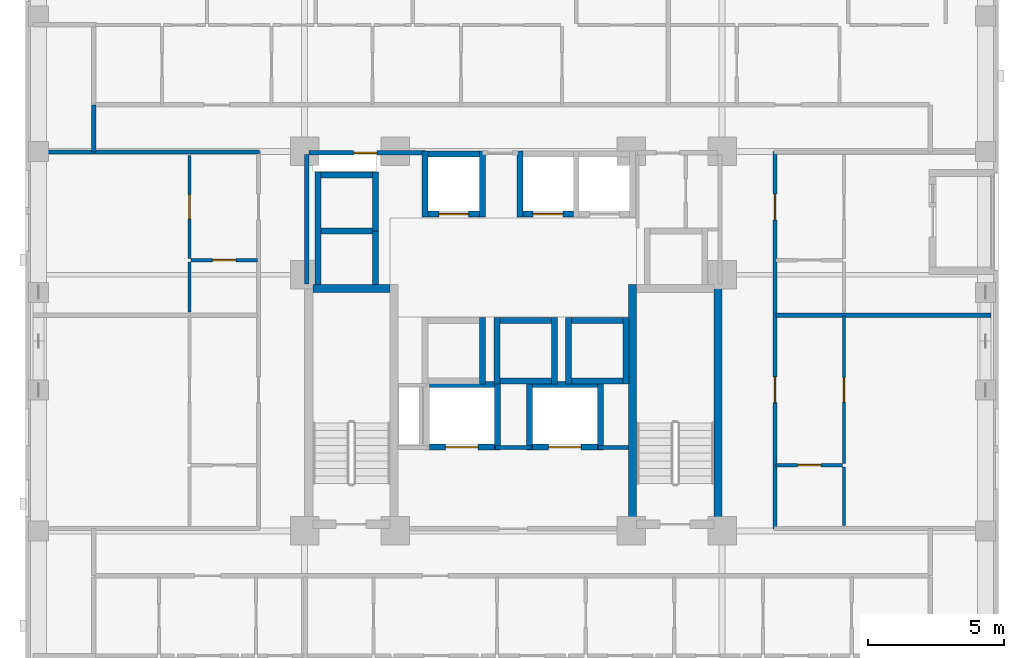
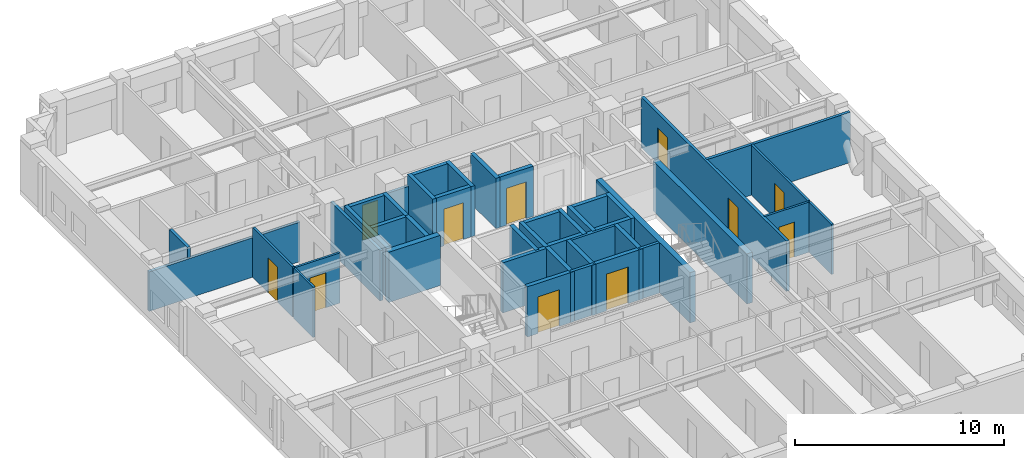
# One storey, part 5 of 12: 44 walls, 11 doors, 11 openings.
"""IFC4 building model written with IfcOpenShell, lengths in metres."""

import ifcopenshell
import ifcopenshell.guid

model = None  # the IFC model being written
_history = None  # IfcOwnerHistory: only IFC2X3 demands one
_inside = {}  # id of a spatial element -> (the spatial element, [elements in it])
_under = {}  # id of a project, library or spatial element -> (it, [spatial elements below it])
_declared = {}  # id of a project -> (the project, [libraries it declares])
_typed = {}  # id of a type object -> (the type object, [elements of that type])
_made_of = {}  # id of a material, layer set ... -> (it, [elements and type objects made of it])


def new_model(schema):
    """Start an empty IFC model of exactly this schema.

    Asked for "IFC4X3", IfcOpenShell would pick the latest addendum, in which some entities
    have other attributes; the version numbers below select the first issue.
    IFC2X3 requires an IfcOwnerHistory on every rooted entity: one is made here for all.
    """
    global model, _history
    if schema == "IFC4X3":
        model = ifcopenshell.file(schema_version=(4, 3, 0, 0))
    else:
        model = ifcopenshell.file(schema=schema)
    _inside.clear()
    _under.clear()
    _declared.clear()
    _typed.clear()
    _made_of.clear()
    _history = None
    if model.schema == "IFC2X3":
        org = make("IfcOrganization", Name="unknown")
        user = make(
            "IfcPersonAndOrganization",
            ThePerson=make("IfcPerson", FamilyName="unknown"),
            TheOrganization=org,
        )
        app = make(
            "IfcApplication",
            ApplicationDeveloper=org,
            Version="unknown",
            ApplicationFullName="unknown",
            ApplicationIdentifier="unknown",
        )
        _history = make(
            "IfcOwnerHistory",
            OwningUser=user,
            OwningApplication=app,
            ChangeAction="ADDED",
            CreationDate=0,
        )
    return model


def make(cls, **values):
    """One entity of the class cls with the attributes given. An attribute that is None is left unset."""
    return model.create_entity(
        cls, **{name: value for name, value in values.items() if value is not None}
    )


def rooted(cls, **values):
    """An entity with a GlobalId (a new one), such as an element, a storey or a relation."""
    return make(cls, GlobalId=ifcopenshell.guid.new(), OwnerHistory=_history, **values)


def si_unit(unit_type, name, prefix=None):
    """IfcSIUnit, for example si_unit("LENGTHUNIT", "METRE", prefix="MILLI")."""
    return make("IfcSIUnit", UnitType=unit_type, Prefix=prefix, Name=name)


def derived_unit(unit_type, elements):
    """IfcDerivedUnit: a product of units, each with its exponent."""
    return make(
        "IfcDerivedUnit",
        Elements=[
            make("IfcDerivedUnitElement", Unit=unit, Exponent=power)
            for unit, power in elements
        ],
        UnitType=unit_type,
    )


def assignment(units):
    """IfcUnitAssignment: the units of a project."""
    return None if units is None else make("IfcUnitAssignment", Units=units)


def point(xyz):
    """IfcCartesianPoint."""
    return None if xyz is None else make("IfcCartesianPoint", Coordinates=xyz)


def direction(xyz):
    """IfcDirection."""
    return None if xyz is None else make("IfcDirection", DirectionRatios=xyz)


def frame(location, z_axis=None, x_axis=None):
    """IfcAxis2Placement3D, a coordinate frame: its origin and axes. An axis left out is left unset."""
    return make(
        "IfcAxis2Placement3D",
        Location=point(location),
        Axis=direction(z_axis),
        RefDirection=direction(x_axis),
    )


def frame_2d(location, x_axis=None):
    """IfcAxis2Placement2D, a coordinate frame in the plane: its origin and x axis."""
    return make(
        "IfcAxis2Placement2D", Location=point(location), RefDirection=direction(x_axis)
    )


def origin():
    """The frame at (0, 0, 0) with its axes left unset."""
    return frame((0.0, 0.0, 0.0))


def place(relative_to, where):
    """IfcLocalPlacement: puts the frame where relative to a parent placement (None: the world)."""
    return make(
        "IfcLocalPlacement", PlacementRelTo=relative_to, RelativePlacement=where
    )


def context(
    kind, dimensions, precision=None, world=None, true_north=None, identifier=None
):
    """IfcGeometricRepresentationContext, for example the 3D "Model" context."""
    return make(
        "IfcGeometricRepresentationContext",
        ContextIdentifier=identifier,
        ContextType=kind,
        CoordinateSpaceDimension=dimensions,
        Precision=precision,
        WorldCoordinateSystem=world,
        TrueNorth=true_north,
    )


def subcontext(parent, identifier, kind, view, scale=None):
    """IfcGeometricRepresentationSubContext, for example "Body" below "Model"."""
    return make(
        "IfcGeometricRepresentationSubContext",
        ContextIdentifier=identifier,
        ContextType=kind,
        ParentContext=parent,
        TargetScale=scale,
        TargetView=view,
    )


def project(units=None, contexts=None):
    """IfcProject with its units and contexts."""
    return rooted(
        "IfcProject",
        Name="project",
        RepresentationContexts=contexts,
        UnitsInContext=assignment(units),
    )


def spatial(cls, under=None, at=None, **own):
    """A site, building, storey or space (cls), placed at a placement, below another one or the project."""
    s = rooted(cls, ObjectPlacement=at, **own)
    if under is not None:
        _under.setdefault(under.id(), (under, []))[1].append(s)
    return s


def profile(cls, at=None, kind="AREA", **sizes):
    """A parametric profile (cls). Its sizes go by their IFC names, for example OverallWidth=200.0."""
    return make(cls, ProfileType=kind, Position=at, **sizes)


def rectangle(**sizes):
    """IfcRectangleProfileDef."""
    return profile("IfcRectangleProfileDef", **sizes)


def extrude(swept, where, along, depth):
    """IfcExtrudedAreaSolid: the profile swept, set in the frame where, extruded along a direction by depth."""
    return make(
        "IfcExtrudedAreaSolid",
        SweptArea=swept,
        Position=where,
        ExtrudedDirection=direction(along),
        Depth=depth,
    )


def shape(context_of_items, identifier, shape_type, items):
    """IfcShapeRepresentation: the items that make up one representation, for example the "Body"."""
    return make(
        "IfcShapeRepresentation",
        ContextOfItems=context_of_items,
        RepresentationIdentifier=identifier,
        RepresentationType=shape_type,
        Items=items,
    )


def material(Name=None, Category=None):
    """IfcMaterial."""
    return make("IfcMaterial", Name=Name, Category=Category)


def layer(
    of_material, thickness, ventilated=None, Name=None, Category=None, Priority=None
):
    """IfcMaterialLayer: one layer of a wall or slab, of a material (None: an air gap)."""
    return make(
        "IfcMaterialLayer",
        Material=of_material,
        LayerThickness=thickness,
        IsVentilated=ventilated,
        Name=Name,
        Category=Category,
        Priority=Priority,
    )


def layer_set(layers, Name=None):
    """IfcMaterialLayerSet."""
    return make("IfcMaterialLayerSet", MaterialLayers=layers, LayerSetName=Name)


def made_of(thing, what):
    """Note that an element or type object is made of a material, layer set ...; save() writes the relation."""
    if what is not None:
        _made_of.setdefault(what.id(), (what, []))[1].append(thing)
    return thing


def type_object(cls, material=None, **own):
    """A type object (cls), such as IfcWallType, which elements share."""
    return made_of(rooted(cls, **own), material)


def element(
    cls,
    number,
    at=None,
    inside=None,
    cuts=None,
    type_object=None,
    material=None,
    context=None,
    identifier="Body",
    shape_type=None,
    held_by="IfcProductDefinitionShape",
    body=None,
    shapes=None,
    **own,
):
    """One element of the class cls, such as IfcWall. Its Tag is "e" and its number.

    at: its placement. inside: the storey or other place that contains it. cuts: it is an
    opening in that element (IfcRelVoidsElement). A single representation is given by context,
    identifier, shape_type and body (its items); several are given by shapes. held_by: the class
    of the entity that holds the representations. save() writes the other relations.
    """
    e = rooted(cls, Tag="e%d" % number, ObjectPlacement=at, **own)
    if body is not None:
        shapes = [shape(context, identifier, shape_type, body)]
    if shapes is not None:
        e.Representation = make(held_by, Representations=shapes)
    if inside is not None:
        _inside.setdefault(inside.id(), (inside, []))[1].append(e)
    if cuts is not None:
        rooted(
            "IfcRelVoidsElement", RelatingBuildingElement=cuts, RelatedOpeningElement=e
        )
    if type_object is not None:
        _typed.setdefault(type_object.id(), (type_object, []))[1].append(e)
    return made_of(e, material)


def fill(opening, filler):
    """IfcRelFillsElement: the door or window that sits in an opening."""
    return rooted(
        "IfcRelFillsElement",
        RelatingOpeningElement=opening,
        RelatedBuildingElement=filler,
    )


def aggregate(whole, parts):
    """IfcRelAggregates: a whole, such as a stair, and the parts it consists of."""
    return rooted("IfcRelAggregates", RelatingObject=whole, RelatedObjects=parts)


def save(model, path):
    """Write the relations noted so far, then the file.

    IfcRelAggregates (storeys below a building ...), IfcRelContainedInSpatialStructure (elements
    in a storey), IfcRelDefinesByType, IfcRelAssociatesMaterial and IfcRelDeclares: one each for
    every whole, place, type object, material and project.
    """
    for whole, parts in _under.values():
        aggregate(whole, parts)
    for where, things in _inside.values():
        rooted(
            "IfcRelContainedInSpatialStructure",
            RelatedElements=things,
            RelatingStructure=where,
        )
    for kind, things in _typed.values():
        rooted("IfcRelDefinesByType", RelatedObjects=things, RelatingType=kind)
    for what, things in _made_of.values():
        rooted("IfcRelAssociatesMaterial", RelatedObjects=things, RelatingMaterial=what)
    for by, libraries in _declared.values():
        rooted("IfcRelDeclares", RelatingContext=by, RelatedDefinitions=libraries)
    model.write(path)


model = new_model("IFC4")

# Units and contexts
model_context = context("Model", 3, precision=1e-05, world=origin(), true_north=direction((0.0, 1.0)))
body_context = subcontext(model_context, "Body", "Model", "MODEL_VIEW")
ifc_project = project(units=[si_unit("LENGTHUNIT", "METRE"), si_unit("AREAUNIT", "SQUARE_METRE"), si_unit("VOLUMEUNIT", "CUBIC_METRE"), si_unit("PLANEANGLEUNIT", "RADIAN"), si_unit("MASSUNIT", "GRAM", prefix="KILO"), derived_unit("THERMALTRANSMITTANCEUNIT", [(si_unit("MASSUNIT", "GRAM", prefix="KILO"), 1), (si_unit("TIMEUNIT", "SECOND"), -3), (si_unit("THERMODYNAMICTEMPERATUREUNIT", "KELVIN"), -1)])], contexts=[model_context])

# Site, building, storey
site_placement = place(None, origin())
site = spatial("IfcSite", under=ifc_project, at=site_placement, CompositionType="ELEMENT")
building_placement = place(site_placement, origin())
building = spatial("IfcBuilding", under=site, at=building_placement, Name="Korrvale Station Residences", CompositionType="ELEMENT")
storey_placement = place(building_placement, frame((0.0, 0.0, 110.300048828125)))
storey = spatial("IfcBuildingStorey", under=building, at=storey_placement, Name="L31", CompositionType="ELEMENT", Elevation=110.300048828125)

# Walls
ifc_material_1 = material(Name="Concrete C60/75", Category="concrete")
ifc_layer_1 = layer(ifc_material_1, 0.300048828125, Name="Concrete C60/75")
ifc_layer_set_1 = layer_set([ifc_layer_1], Name="Concrete C60/75")
wall_type_1 = type_object("IfcWallType", Name="WAL-CORE-300-C60", PredefinedType="SHEAR", material=ifc_layer_set_1)
wall_1_placement = place(storey_placement, frame((18.10009765625, 23.949951171875, 0.0), z_axis=(0.0, 0.0, 1.0), x_axis=(1.0, 0.0, 0.0)))
element("IfcWall", 1, at=wall_1_placement, inside=storey, type_object=wall_type_1, Name="L31 ST-1 Core Shear Wall North", PredefinedType="SHEAR", context=body_context, shape_type="SweptSolid", body=[
    extrude(rectangle(XDim=2.849853515625, YDim=0.300048828125, at=frame_2d((1.4248046875, 0.0))), origin(), (0.0, 0.0, 1.0), 2.93994140625),
])
for number, where, z_axis, x_axis, name in (
    (2, (29.89990234375, 15.10009765625, 0.0), (0.0, 0.0, 1.0), (0.0, 1.0, 0.0), "L31 ST-2 Core Shear Wall West"),
    (3, (33.050048828125, 15.10009765625, 0.0), (0.0, 0.0, 1.0), (0.0, 1.0, 0.0), "L31 ST-2 Core Shear Wall East"),
):
    element("IfcWall", number, at=place(storey_placement, frame(where, z_axis=z_axis, x_axis=x_axis)), inside=storey, type_object=wall_type_1, Name=name, PredefinedType="SHEAR", context=body_context, shape_type="SweptSolid", body=[
        extrude(rectangle(XDim=9.0, YDim=0.300048828125, at=frame_2d((4.5, 0.0))), origin(), (0.0, 0.0, 1.0), 2.93994140625),
    ])

# Wall, opening, door
ifc_material_2 = material(Name="Acoustic steel-stud gypsum board partition", Category="steel")
ifc_layer_2 = layer(ifc_material_2, 0.1201171875, Name="Acoustic steel-stud gypsum board partition")
ifc_layer_set_2 = layer_set([ifc_layer_2], Name="Acoustic steel-stud gypsum board partition")
wall_type_2 = type_object("IfcWallType", Name="WAL-PART-125", PredefinedType="PARTITIONING", material=ifc_layer_set_2)
wall_2_placement = place(storey_placement, frame((13.610107421875, 24.991943359375, 0.0), z_axis=(0.0, 0.0, 1.0), x_axis=(1.0, 0.0, 0.0)))
wall_2 = element("IfcWall", 4, at=wall_2_placement, inside=storey, type_object=wall_type_2, Name="L31 Suite Partition U06-H01", PredefinedType="PARTITIONING", context=body_context, shape_type="SweptSolid", body=[
    extrude(rectangle(XDim=2.449951171875, YDim=0.1201171875, at=frame_2d((1.22509765625, 0.0))), origin(), (0.0, 0.0, 1.0), 2.93994140625),
])
opening_1_placement = place(wall_2_placement, frame((0.794921875, 0.0, 0.0)))
opening_1 = element("IfcOpeningElement", 5, at=opening_1_placement, cuts=wall_2, Name="Opening DB-860", PredefinedType="OPENING", context=body_context, shape_type="SweptSolid", body=[
    extrude(rectangle(XDim=0.860107421875, YDim=2.050048828125, at=frame_2d((0.43017578125, 1.02490234375))), frame((0.0, 0.070068359375, 0.0), z_axis=(0.0, -1.0, 0.0), x_axis=(1.0, 0.0, 0.0)), (0.0, 0.0, 1.0), 0.14013671875),
])
ifc_material_3 = material(Name="Moisture-resistant solid-core bathroom door", Category="timber")
door_type_1 = type_object("IfcDoorType", Name="DR-BATH-860", OperationType="NOTDEFINED", PredefinedType="DOOR", material=ifc_material_3)
door_1_placement = place(opening_1_placement, origin())
door_1 = element("IfcDoor", 6, at=door_1_placement, inside=storey, type_object=door_type_1, Name="L31 Studio Apartment L31-U06 Bathroom Door", OperationType="SINGLE_SWING_LEFT", OverallHeight=2.050048828125, OverallWidth=0.860107421875, PredefinedType="DOOR", context=body_context, shape_type="SweptSolid", body=[
    extrude(rectangle(XDim=0.860107421875, YDim=2.050048828125, at=frame_2d((0.43017578125, 1.02490234375))), frame((0.0, 0.02490234375, 0.0), z_axis=(0.0, -1.0, 0.0), x_axis=(1.0, 0.0, 0.0)), (0.0, 0.0, 1.0), 0.050048828125),
])
fill(opening_1, door_1)

# Wall
wall_3_placement = place(storey_placement, frame((13.550048828125, 23.08203125, 0.0), z_axis=(0.0, 0.0, 1.0), x_axis=(0.0, 1.0, 0.0)))
element("IfcWall", 7, at=wall_3_placement, inside=storey, type_object=wall_type_2, Name="L31 Suite Partition U06-V02", PredefinedType="PARTITIONING", context=body_context, shape_type="SweptSolid", body=[
    extrude(rectangle(XDim=1.849853515625, YDim=0.1201171875, at=frame_2d((0.9248046875, 0.0))), origin(), (0.0, 0.0, 1.0), 2.93994140625),
])

# Wall, opening, door
wall_4_placement = place(storey_placement, frame((13.550048828125, 25.052001953125, 0.0), z_axis=(0.0, 0.0, 1.0), x_axis=(0.0, 1.0, 0.0)))
wall_4 = element("IfcWall", 8, at=wall_4_placement, inside=storey, type_object=wall_type_2, Name="L31 Suite Partition U06-V12", PredefinedType="PARTITIONING", context=body_context, shape_type="SweptSolid", body=[
    extrude(rectangle(XDim=3.80810546875, YDim=0.1201171875, at=frame_2d((1.904052734375, 0.0))), origin(), (0.0, 0.0, 1.0), 2.93994140625),
])
opening_2_placement = place(wall_4_placement, frame((1.4541015625, 0.0, 0.0)))
opening_2 = element("IfcOpeningElement", 9, at=opening_2_placement, cuts=wall_4, Name="Opening DI-900", PredefinedType="OPENING", context=body_context, shape_type="SweptSolid", body=[
    extrude(rectangle(XDim=0.89990234375, YDim=2.050048828125, at=frame_2d((0.449951171875, 1.02490234375))), frame((0.0, 0.070068359375, 0.0), z_axis=(0.0, -1.0, 0.0), x_axis=(1.0, 0.0, 0.0)), (0.0, 0.0, 1.0), 0.14013671875),
])
ifc_material_4 = material(Name="Painted solid-core timber interior room door", Category="wood")
door_type_2 = type_object("IfcDoorType", Name="DR-INT-900", OperationType="NOTDEFINED", PredefinedType="DOOR", material=ifc_material_4)
door_2_placement = place(opening_2_placement, origin())
door_2 = element("IfcDoor", 10, at=door_2_placement, inside=storey, type_object=door_type_2, Name="L31 Studio Apartment L31-U06 Kitchen Door", OperationType="SINGLE_SWING_RIGHT", OverallHeight=2.050048828125, OverallWidth=0.89990234375, PredefinedType="DOOR", context=body_context, shape_type="SweptSolid", body=[
    extrude(rectangle(XDim=0.89990234375, YDim=2.050048828125, at=frame_2d((0.449951171875, 1.02490234375))), frame((0.0, 0.02490234375, 0.0), z_axis=(0.0, -1.0, 0.0), x_axis=(1.0, 0.0, 0.0)), (0.0, 0.0, 1.0), 0.050048828125),
])
fill(opening_2, door_2)

wall_5_placement = place(storey_placement, frame((35.18994140625, 17.428955078125, 0.0), z_axis=(0.0, 0.0, 1.0), x_axis=(1.0, 0.0, 0.0)))
wall_5 = element("IfcWall", 11, at=wall_5_placement, inside=storey, type_object=wall_type_2, Name="L31 Suite Partition U07-H01", PredefinedType="PARTITIONING", context=body_context, shape_type="SweptSolid", body=[
    extrude(rectangle(XDim=2.449951171875, YDim=0.1201171875, at=frame_2d((1.22509765625, 0.0))), origin(), (0.0, 0.0, 1.0), 2.93994140625),
])
opening_3_placement = place(wall_5_placement, frame((0.794921875, 0.0, 0.0)))
opening_3 = element("IfcOpeningElement", 12, at=opening_3_placement, cuts=wall_5, Name="Opening DB-860", PredefinedType="OPENING", context=body_context, shape_type="SweptSolid", body=[
    extrude(rectangle(XDim=0.860107421875, YDim=2.050048828125, at=frame_2d((0.43017578125, 1.02490234375))), frame((0.0, 0.070068359375, 0.0), z_axis=(0.0, -1.0, 0.0), x_axis=(1.0, 0.0, 0.0)), (0.0, 0.0, 1.0), 0.14013671875),
])
door_3_placement = place(opening_3_placement, origin())
door_3 = element("IfcDoor", 13, at=door_3_placement, inside=storey, type_object=door_type_1, Name="L31 Studio Apartment L31-U07 Bathroom Door", OperationType="SINGLE_SWING_LEFT", OverallHeight=2.050048828125, OverallWidth=0.860107421875, PredefinedType="DOOR", context=body_context, shape_type="SweptSolid", body=[
    extrude(rectangle(XDim=0.860107421875, YDim=2.050048828125, at=frame_2d((0.43017578125, 1.02490234375))), frame((0.0, 0.02490234375, 0.0), z_axis=(0.0, -1.0, 0.0), x_axis=(1.0, 0.0, 0.0)), (0.0, 0.0, 1.0), 0.050048828125),
])
fill(opening_3, door_3)

# Wall
wall_6_placement = place(storey_placement, frame((37.699951171875, 15.2099609375, 0.0), z_axis=(0.0, 0.0, 1.0), x_axis=(0.0, 1.0, 0.0)))
element("IfcWall", 14, at=wall_6_placement, inside=storey, type_object=wall_type_2, Name="L31 Suite Partition U07-V02", PredefinedType="PARTITIONING", context=body_context, shape_type="SweptSolid", body=[
    extrude(rectangle(XDim=2.158935546875, YDim=0.1201171875, at=frame_2d((1.07958984375, 0.0))), origin(), (0.0, 0.0, 1.0), 2.93994140625),
])

# Wall, opening, door
wall_7_placement = place(storey_placement, frame((37.699951171875, 17.489013671875, 0.0), z_axis=(0.0, 0.0, 1.0), x_axis=(0.0, 1.0, 0.0)))
wall_7 = element("IfcWall", 15, at=wall_7_placement, inside=storey, type_object=wall_type_2, Name="L31 Suite Partition U07-V12", PredefinedType="PARTITIONING", context=body_context, shape_type="SweptSolid", body=[
    extrude(rectangle(XDim=5.43310546875, YDim=0.1201171875, at=frame_2d((2.716552734375, 0.0))), origin(), (0.0, 0.0, 1.0), 2.93994140625),
])
opening_4_placement = place(wall_7_placement, frame((2.26611328125, 0.0, 0.0)))
opening_4 = element("IfcOpeningElement", 16, at=opening_4_placement, cuts=wall_7, Name="Opening DI-900", PredefinedType="OPENING", context=body_context, shape_type="SweptSolid", body=[
    extrude(rectangle(XDim=0.89990234375, YDim=2.050048828125, at=frame_2d((0.449951171875, 1.02490234375))), frame((0.0, 0.070068359375, 0.0), z_axis=(0.0, -1.0, 0.0), x_axis=(1.0, 0.0, 0.0)), (0.0, 0.0, 1.0), 0.14013671875),
])
door_4_placement = place(opening_4_placement, origin())
door_4 = element("IfcDoor", 17, at=door_4_placement, inside=storey, type_object=door_type_2, Name="L31 Studio Apartment L31-U07 Kitchen Door", OperationType="SINGLE_SWING_RIGHT", OverallHeight=2.050048828125, OverallWidth=0.89990234375, PredefinedType="DOOR", context=body_context, shape_type="SweptSolid", body=[
    extrude(rectangle(XDim=0.89990234375, YDim=2.050048828125, at=frame_2d((0.449951171875, 1.02490234375))), frame((0.0, 0.02490234375, 0.0), z_axis=(0.0, -1.0, 0.0), x_axis=(1.0, 0.0, 0.0)), (0.0, 0.0, 1.0), 0.050048828125),
])
fill(opening_4, door_4)

# Walls
ifc_material_5 = material(Name="Fire-rated twin-stud gypsum and mineral wool shaftwall assembly", Category="gypsum")
ifc_layer_3 = layer(ifc_material_5, 0.159912109375, Name="Fire-rated twin-stud gypsum and mineral wool shaftwall assembly")
ifc_layer_set_3 = layer_set([ifc_layer_3], Name="Fire-rated twin-stud gypsum and mineral wool shaftwall assembly")
wall_type_3 = type_object("IfcWallType", Name="WAL-PART-200", PredefinedType="PARTITIONING", material=ifc_layer_set_3)
wall_8_placement = place(storey_placement, frame((24.85009765625, 18.080078125, 0.0), z_axis=(0.0, 0.0, 1.0), x_axis=(1.0, 0.0, 0.0)))
element("IfcWall", 18, at=wall_8_placement, inside=storey, type_object=wall_type_3, Name="L31 Core Partition CW-FFL-N2", PredefinedType="PARTITIONING", context=body_context, shape_type="SweptSolid", body=[
    extrude(rectangle(XDim=1.2998046875, YDim=0.159912109375, at=frame_2d((0.64990234375, 0.0))), origin(), (0.0, 0.0, 1.0), 2.93994140625),
])
wall_9_placement = place(storey_placement, frame((28.64990234375, 18.080078125, 0.0), z_axis=(0.0, 0.0, 1.0), x_axis=(1.0, 0.0, 0.0)))
element("IfcWall", 19, at=wall_9_placement, inside=storey, type_object=wall_type_3, Name="L31 Core Partition CW-FFL-N3", PredefinedType="PARTITIONING", context=body_context, shape_type="SweptSolid", body=[
    extrude(rectangle(XDim=1.10009765625, YDim=0.159912109375, at=frame_2d((0.550048828125, 0.0))), origin(), (0.0, 0.0, 1.0), 2.93994140625),
])
wall_10_placement = place(storey_placement, frame((17.8798828125, 24.1201171875, 0.0), z_axis=(0.0, 0.0, 1.0), x_axis=(0.0, 1.0, 0.0)))
element("IfcWall", 20, at=wall_10_placement, inside=storey, type_object=wall_type_3, Name="L31 Core Partition CW-W-N", PredefinedType="PARTITIONING", context=body_context, shape_type="SweptSolid", body=[
    extrude(rectangle(XDim=4.759765625, YDim=0.159912109375, at=frame_2d((2.3798828125, 0.0))), origin(), (0.0, 0.0, 1.0), 2.93994140625),
])

# Wall, opening, door
wall_11_placement = place(storey_placement, frame((17.9599609375, 28.949951171875, 0.0), z_axis=(0.0, 0.0, 1.0), x_axis=(1.0, 0.0, 0.0)))
wall_11 = element("IfcWall", 21, at=wall_11_placement, inside=storey, type_object=wall_type_3, Name="L31 Core Partition CW-NW", PredefinedType="PARTITIONING", context=body_context, shape_type="SweptSolid", body=[
    extrude(rectangle(XDim=4.2900390625, YDim=0.159912109375, at=frame_2d((2.14501953125, 0.0))), origin(), (0.0, 0.0, 1.0), 2.31298828125),
])
opening_5_placement = place(wall_11_placement, frame((1.64501953125, 0.0, 0.0)))
opening_5 = element("IfcOpeningElement", 22, at=opening_5_placement, cuts=wall_11, Name="Opening DB-860", PredefinedType="OPENING", context=body_context, shape_type="SweptSolid", body=[
    extrude(rectangle(XDim=0.860107421875, YDim=2.050048828125, at=frame_2d((0.43017578125, 1.02490234375))), frame((0.0, 0.08984375, 0.0), z_axis=(0.0, -1.0, 0.0), x_axis=(1.0, 0.0, 0.0)), (0.0, 0.0, 1.0), 0.179931640625),
])
door_5_placement = place(opening_5_placement, origin())
door_5 = element("IfcDoor", 23, at=door_5_placement, inside=storey, type_object=door_type_1, Name="L31 Electrical Riser Access Door", OperationType="SINGLE_SWING_LEFT", OverallHeight=2.050048828125, OverallWidth=0.860107421875, PredefinedType="DOOR", context=body_context, shape_type="SweptSolid", body=[
    extrude(rectangle(XDim=0.860107421875, YDim=2.050048828125, at=frame_2d((0.43017578125, 1.02490234375))), frame((0.0, 0.02490234375, 0.0), z_axis=(0.0, -1.0, 0.0), x_axis=(1.0, 0.0, 0.0)), (0.0, 0.0, 1.0), 0.050048828125),
])
fill(opening_5, door_5)

# Walls
wall_12_placement = place(storey_placement, frame((10.02001953125, 28.97998046875, 0.0), z_axis=(0.0, 0.0, 1.0), x_axis=(0.0, 1.0, 0.0)))
element("IfcWall", 24, at=wall_12_placement, inside=storey, type_object=wall_type_3, Name="L31 Corridor North West Cap", PredefinedType="PARTITIONING", context=body_context, shape_type="SweptSolid", body=[
    extrude(rectangle(XDim=1.739990234375, YDim=0.159912109375, at=frame_2d((0.8701171875, 0.0))), origin(), (0.0, 0.0, 1.0), 2.93994140625),
])
wall_13_placement = place(storey_placement, frame((7.780029296875, 28.97998046875, 0.0), z_axis=(0.0, 0.0, 1.0), x_axis=(1.0, 0.0, 0.0)))
element("IfcWall", 25, at=wall_13_placement, inside=storey, type_object=wall_type_3, Name="L31 West Wing North Corridor Wall", PredefinedType="PARTITIONING", context=body_context, shape_type="SweptSolid", body=[
    extrude(rectangle(XDim=8.35986328125, YDim=0.159912109375, at=frame_2d((4.179931640625, 0.0))), origin(), (0.0, 0.0, 1.0), 2.31298828125),
])
wall_14_placement = place(storey_placement, frame((35.18994140625, 22.9619140625, 0.0), z_axis=(0.0, 0.0, 1.0), x_axis=(1.0, 0.0, 0.0)))
element("IfcWall", 26, at=wall_14_placement, inside=storey, type_object=wall_type_3, Name="L31 Demising Wall U07-N", PredefinedType="PARTITIONING", context=body_context, shape_type="SweptSolid", body=[
    extrude(rectangle(XDim=7.93017578125, YDim=0.159912109375, at=frame_2d((3.965087890625, 0.0))), origin(), (0.0, 0.0, 1.0), 2.93994140625),
])

# Wall, openings, doors
wall_15_placement = place(storey_placement, frame((35.14990234375, 15.070068359375, 0.0), z_axis=(0.0, 0.0, 1.0), x_axis=(0.0, 1.0, 0.0)))
wall_15 = element("IfcWall", 27, at=wall_15_placement, inside=storey, type_object=wall_type_3, Name="L31 Rated Corridor Wall E", PredefinedType="PARTITIONING", context=body_context, shape_type="SweptSolid", body=[
    extrude(rectangle(XDim=13.929931640625, YDim=0.159912109375, at=frame_2d((6.96484375, 0.0))), origin(), (0.0, 0.0, 1.0), 2.93994140625),
])
opening_6_placement = place(wall_15_placement, frame((4.660888671875, 0.0, 0.0)))
opening_6 = element("IfcOpeningElement", 28, at=opening_6_placement, cuts=wall_15, Name="Opening UD-950", PredefinedType="OPENING", context=body_context, shape_type="SweptSolid", body=[
    extrude(rectangle(XDim=0.949951171875, YDim=2.10009765625, at=frame_2d((0.47509765625, 1.050048828125))), frame((0.0, 0.08984375, 0.0), z_axis=(0.0, -1.0, 0.0), x_axis=(1.0, 0.0, 0.0)), (0.0, 0.0, 1.0), 0.179931640625),
])
opening_7_placement = place(wall_15_placement, frame((11.410888671875, 0.0, 0.0)))
opening_7 = element("IfcOpeningElement", 29, at=opening_7_placement, cuts=wall_15, Name="Opening UD-950", PredefinedType="OPENING", context=body_context, shape_type="SweptSolid", body=[
    extrude(rectangle(XDim=0.949951171875, YDim=2.10009765625, at=frame_2d((0.47509765625, 1.050048828125))), frame((0.0, 0.08984375, 0.0), z_axis=(0.0, -1.0, 0.0), x_axis=(1.0, 0.0, 0.0)), (0.0, 0.0, 1.0), 0.179931640625),
])
ifc_material_6 = material(Name="Solid-core acoustic oak apartment entrance door", Category="timber")
door_type_3 = type_object("IfcDoorType", Name="DR-UNIT-950", OperationType="NOTDEFINED", PredefinedType="DOOR", material=ifc_material_6)
door_6_placement = place(opening_6_placement, origin())
door_6 = element("IfcDoor", 30, at=door_6_placement, inside=storey, type_object=door_type_3, Name="L31 Apartment L31-U07 Entrance Door", OperationType="SINGLE_SWING_LEFT", OverallHeight=2.10009765625, OverallWidth=0.949951171875, PredefinedType="DOOR", context=body_context, shape_type="SweptSolid", body=[
    extrude(rectangle(XDim=0.949951171875, YDim=2.10009765625, at=frame_2d((0.47509765625, 1.050048828125))), frame((0.0, 0.02490234375, 0.0), z_axis=(0.0, -1.0, 0.0), x_axis=(1.0, 0.0, 0.0)), (0.0, 0.0, 1.0), 0.050048828125),
])
fill(opening_6, door_6)
door_7_placement = place(opening_7_placement, origin())
door_7 = element("IfcDoor", 31, at=door_7_placement, inside=storey, type_object=door_type_3, Name="L31 Apartment L31-U08 Entrance Door", OperationType="SINGLE_SWING_RIGHT", OverallHeight=2.10009765625, OverallWidth=0.949951171875, PredefinedType="DOOR", context=body_context, shape_type="SweptSolid", body=[
    extrude(rectangle(XDim=0.949951171875, YDim=2.10009765625, at=frame_2d((0.47509765625, 1.050048828125))), frame((0.0, 0.02490234375, 0.0), z_axis=(0.0, -1.0, 0.0), x_axis=(1.0, 0.0, 0.0)), (0.0, 0.0, 1.0), 0.050048828125),
])
fill(opening_7, door_7)

# Wall, opening, door
ifc_layer_4 = layer(ifc_material_1, 0.219970703125, Name="Concrete C60/75")
ifc_layer_set_4 = layer_set([ifc_layer_4], Name="Concrete C60/75")
wall_type_4 = type_object("IfcWallType", Name="WAL-SHAFT-220-C60", PredefinedType="SHEAR", material=ifc_layer_set_4)
wall_16_placement = place(storey_placement, frame((22.35009765625, 26.68994140625, 0.0), z_axis=(0.0, 0.0, 1.0), x_axis=(1.0, 0.0, 0.0)))
wall_16 = element("IfcWall", 32, at=wall_16_placement, inside=storey, type_object=wall_type_4, Name="L31 Elevator PL-1 Hoistway Wall South", PredefinedType="SHEAR", context=body_context, shape_type="SweptSolid", body=[
    extrude(rectangle(XDim=1.89990234375, YDim=0.219970703125, at=frame_2d((0.949951171875, 0.0))), origin(), (0.0, 0.0, 1.0), 2.93994140625),
])
opening_8_placement = place(wall_16_placement, frame((0.39990234375, 0.0, 0.0)))
opening_8 = element("IfcOpeningElement", 33, at=opening_8_placement, cuts=wall_16, Name="Opening LD-1100", PredefinedType="OPENING", context=body_context, shape_type="SweptSolid", body=[
    extrude(rectangle(XDim=1.10009765625, YDim=2.14990234375, at=frame_2d((0.550048828125, 1.074951171875))), frame((0.0, 0.1201171875, 0.0), z_axis=(0.0, -1.0, 0.0), x_axis=(1.0, 0.0, 0.0)), (0.0, 0.0, 1.0), 0.239990234375),
])
ifc_material_7 = material(Name="Brushed stainless-steel elevator landing sliding door", Category="steel")
door_type_4 = type_object("IfcDoorType", Name="DR-LIFT-1100", OperationType="SLIDING_TO_LEFT", PredefinedType="DOOR", material=ifc_material_7)
door_8_placement = place(opening_8_placement, origin())
door_8 = element("IfcDoor", 34, at=door_8_placement, inside=storey, type_object=door_type_4, Name="L31 Elevator PL-1 Sliding Landing Door", OperationType="SLIDING_TO_LEFT", OverallHeight=2.14990234375, OverallWidth=1.10009765625, PredefinedType="DOOR", context=body_context, shape_type="SweptSolid", body=[
    extrude(rectangle(XDim=1.10009765625, YDim=2.14990234375, at=frame_2d((0.550048828125, 1.074951171875))), frame((0.0, 0.02490234375, 0.0), z_axis=(0.0, -1.0, 0.0), x_axis=(1.0, 0.0, 0.0)), (0.0, 0.0, 1.0), 0.050048828125),
])
fill(opening_8, door_8)

# Walls
wall_17_placement = place(storey_placement, frame((22.35009765625, 28.909912109375, 0.0), z_axis=(0.0, 0.0, 1.0), x_axis=(1.0, 0.0, 0.0)))
element("IfcWall", 35, at=wall_17_placement, inside=storey, type_object=wall_type_4, Name="L31 Elevator PL-1 Hoistway Wall North", PredefinedType="SHEAR", context=body_context, shape_type="SweptSolid", body=[
    extrude(rectangle(XDim=1.89990234375, YDim=0.219970703125, at=frame_2d((0.949951171875, 0.0))), origin(), (0.0, 0.0, 1.0), 2.93994140625),
])
for number, where, z_axis, x_axis, name in (
    (36, (22.239990234375, 26.580078125, 0.0), (0.0, 0.0, 1.0), (0.0, 1.0, 0.0), "L31 Elevator PL-1 Hoistway Wall West"),
    (37, (24.360107421875, 26.580078125, 0.0), (0.0, 0.0, 1.0), (0.0, 1.0, 0.0), "L31 Elevator PL-1 Hoistway Wall East"),
):
    element("IfcWall", number, at=place(storey_placement, frame(where, z_axis=z_axis, x_axis=x_axis)), inside=storey, type_object=wall_type_4, Name=name, PredefinedType="SHEAR", context=body_context, shape_type="SweptSolid", body=[
        extrude(rectangle(XDim=2.43994140625, YDim=0.219970703125, at=frame_2d((1.219970703125, 0.0))), origin(), (0.0, 0.0, 1.0), 2.93994140625),
    ])

# Wall, opening, door
wall_18_placement = place(storey_placement, frame((25.85009765625, 26.68994140625, 0.0), z_axis=(0.0, 0.0, 1.0), x_axis=(1.0, 0.0, 0.0)))
wall_18 = element("IfcWall", 38, at=wall_18_placement, inside=storey, type_object=wall_type_4, Name="L31 Elevator PL-2 Hoistway Wall South", PredefinedType="SHEAR", context=body_context, shape_type="SweptSolid", body=[
    extrude(rectangle(XDim=1.85986328125, YDim=0.219970703125, at=frame_2d((0.929931640625, 0.0))), origin(), (0.0, 0.0, 1.0), 2.93994140625),
])
opening_9_placement = place(wall_18_placement, frame((0.3798828125, 0.0, 0.0)))
opening_9 = element("IfcOpeningElement", 39, at=opening_9_placement, cuts=wall_18, Name="Opening LD-1100", PredefinedType="OPENING", context=body_context, shape_type="SweptSolid", body=[
    extrude(rectangle(XDim=1.10009765625, YDim=2.14990234375, at=frame_2d((0.550048828125, 1.074951171875))), frame((0.0, 0.1201171875, 0.0), z_axis=(0.0, -1.0, 0.0), x_axis=(1.0, 0.0, 0.0)), (0.0, 0.0, 1.0), 0.239990234375),
])
door_9_placement = place(opening_9_placement, origin())
door_9 = element("IfcDoor", 40, at=door_9_placement, inside=storey, type_object=door_type_4, Name="L31 Elevator PL-2 Sliding Landing Door", OperationType="SLIDING_TO_LEFT", OverallHeight=2.14990234375, OverallWidth=1.10009765625, PredefinedType="DOOR", context=body_context, shape_type="SweptSolid", body=[
    extrude(rectangle(XDim=1.10009765625, YDim=2.14990234375, at=frame_2d((0.550048828125, 1.074951171875))), frame((0.0, 0.02490234375, 0.0), z_axis=(0.0, -1.0, 0.0), x_axis=(1.0, 0.0, 0.0)), (0.0, 0.0, 1.0), 0.050048828125),
])
fill(opening_9, door_9)

# Walls
wall_19_placement = place(storey_placement, frame((25.739990234375, 26.580078125, 0.0), z_axis=(0.0, 0.0, 1.0), x_axis=(0.0, 1.0, 0.0)))
element("IfcWall", 41, at=wall_19_placement, inside=storey, type_object=wall_type_4, Name="L31 Elevator PL-2 Hoistway Wall West", PredefinedType="SHEAR", context=body_context, shape_type="SweptSolid", body=[
    extrude(rectangle(XDim=2.43994140625, YDim=0.219970703125, at=frame_2d((1.219970703125, 0.0))), origin(), (0.0, 0.0, 1.0), 2.93994140625),
])
wall_20_placement = place(storey_placement, frame((24.360107421875, 20.429931640625, 0.0), z_axis=(0.0, 0.0, 1.0), x_axis=(0.0, 1.0, 0.0)))
element("IfcWall", 42, at=wall_20_placement, inside=storey, type_object=wall_type_4, Name="L31 Elevator PM-1 Hoistway Wall East", PredefinedType="SHEAR", context=body_context, shape_type="SweptSolid", body=[
    extrude(rectangle(XDim=2.440185546875, YDim=0.219970703125, at=frame_2d((1.22021484375, 0.0))), origin(), (0.0, 0.0, 1.0), 2.93994140625),
])
for number, where, z_axis, x_axis, name in (
    (43, (25.0, 20.5400390625, 0.0), (0.0, 0.0, 1.0), (1.0, 0.0, 0.0), "L31 Elevator PM-2 Hoistway Wall South"),
    (44, (25.0, 22.760009765625, 0.0), (0.0, 0.0, 1.0), (1.0, 0.0, 0.0), "L31 Elevator PM-2 Hoistway Wall North"),
):
    element("IfcWall", number, at=place(storey_placement, frame(where, z_axis=z_axis, x_axis=x_axis)), inside=storey, type_object=wall_type_4, Name=name, PredefinedType="SHEAR", context=body_context, shape_type="SweptSolid", body=[
        extrude(rectangle(XDim=1.89990234375, YDim=0.219970703125, at=frame_2d((0.949951171875, 0.0))), origin(), (0.0, 0.0, 1.0), 2.93994140625),
    ])
for number, where, z_axis, x_axis, name in (
    (45, (24.889892578125, 20.429931640625, 0.0), (0.0, 0.0, 1.0), (0.0, 1.0, 0.0), "L31 Elevator PM-2 Hoistway Wall West"),
    (46, (27.010009765625, 20.429931640625, 0.0), (0.0, 0.0, 1.0), (0.0, 1.0, 0.0), "L31 Elevator PM-2 Hoistway Wall East"),
):
    element("IfcWall", number, at=place(storey_placement, frame(where, z_axis=z_axis, x_axis=x_axis)), inside=storey, type_object=wall_type_4, Name=name, PredefinedType="SHEAR", context=body_context, shape_type="SweptSolid", body=[
        extrude(rectangle(XDim=2.440185546875, YDim=0.219970703125, at=frame_2d((1.22021484375, 0.0))), origin(), (0.0, 0.0, 1.0), 2.93994140625),
    ])
for number, where, z_axis, x_axis, name in (
    (47, (27.64990234375, 20.5400390625, 0.0), (0.0, 0.0, 1.0), (1.0, 0.0, 0.0), "L31 Elevator PM-3 Hoistway Wall South"),
    (48, (27.64990234375, 22.760009765625, 0.0), (0.0, 0.0, 1.0), (1.0, 0.0, 0.0), "L31 Elevator PM-3 Hoistway Wall North"),
):
    element("IfcWall", number, at=place(storey_placement, frame(where, z_axis=z_axis, x_axis=x_axis)), inside=storey, type_object=wall_type_4, Name=name, PredefinedType="SHEAR", context=body_context, shape_type="SweptSolid", body=[
        extrude(rectangle(XDim=1.900146484375, YDim=0.219970703125, at=frame_2d((0.9501953125, 0.0))), origin(), (0.0, 0.0, 1.0), 2.93994140625),
    ])
for number, where, z_axis, x_axis, name in (
    (49, (27.5400390625, 20.429931640625, 0.0), (0.0, 0.0, 1.0), (0.0, 1.0, 0.0), "L31 Elevator PM-3 Hoistway Wall West"),
    (50, (29.659912109375, 20.429931640625, 0.0), (0.0, 0.0, 1.0), (0.0, 1.0, 0.0), "L31 Elevator PM-3 Hoistway Wall East"),
):
    element("IfcWall", number, at=place(storey_placement, frame(where, z_axis=z_axis, x_axis=x_axis)), inside=storey, type_object=wall_type_4, Name=name, PredefinedType="SHEAR", context=body_context, shape_type="SweptSolid", body=[
        extrude(rectangle(XDim=2.440185546875, YDim=0.219970703125, at=frame_2d((1.22021484375, 0.0))), origin(), (0.0, 0.0, 1.0), 2.93994140625),
    ])
wall_21_placement = place(storey_placement, frame((18.2900390625, 24.10009765625, 0.0), z_axis=(0.0, 0.0, 1.0), x_axis=(0.0, 1.0, 0.0)))
element("IfcWall", 51, at=wall_21_placement, inside=storey, type_object=wall_type_4, Name="L31 Elevator PH-1 Hoistway Wall West", PredefinedType="SHEAR", context=body_context, shape_type="SweptSolid", body=[
    extrude(rectangle(XDim=4.139892578125, YDim=0.219970703125, at=frame_2d((2.06982421875, 0.0))), origin(), (0.0, 0.0, 1.0), 2.93994140625),
])
wall_22_placement = place(storey_placement, frame((20.409912109375, 24.10009765625, 0.0), z_axis=(0.0, 0.0, 1.0), x_axis=(0.0, 1.0, 0.0)))
element("IfcWall", 52, at=wall_22_placement, inside=storey, type_object=wall_type_4, Name="L31 Elevator PH-1 Hoistway Wall East", PredefinedType="SHEAR", context=body_context, shape_type="SweptSolid", body=[
    extrude(rectangle(XDim=1.9599609375, YDim=0.219970703125, at=frame_2d((0.97998046875, 0.0))), origin(), (0.0, 0.0, 1.0), 2.93994140625),
])
for number, where, z_axis, x_axis, name in (
    (53, (18.39990234375, 26.06005859375, 0.0), (0.0, 0.0, 1.0), (1.0, 0.0, 0.0), "L31 Elevator PH-2 Hoistway Wall South"),
    (54, (18.39990234375, 28.1298828125, 0.0), (0.0, 0.0, 1.0), (1.0, 0.0, 0.0), "L31 Elevator PH-2 Hoistway Wall North"),
):
    element("IfcWall", number, at=place(storey_placement, frame(where, z_axis=z_axis, x_axis=x_axis)), inside=storey, type_object=wall_type_4, Name=name, PredefinedType="SHEAR", context=body_context, shape_type="SweptSolid", body=[
        extrude(rectangle(XDim=1.900146484375, YDim=0.219970703125, at=frame_2d((0.9501953125, 0.0))), origin(), (0.0, 0.0, 1.0), 2.93994140625),
    ])
wall_23_placement = place(storey_placement, frame((20.409912109375, 26.06005859375, 0.0), z_axis=(0.0, 0.0, 1.0), x_axis=(0.0, 1.0, 0.0)))
element("IfcWall", 55, at=wall_23_placement, inside=storey, type_object=wall_type_4, Name="L31 Elevator PH-2 Hoistway Wall East", PredefinedType="SHEAR", context=body_context, shape_type="SweptSolid", body=[
    extrude(rectangle(XDim=2.179931640625, YDim=0.219970703125, at=frame_2d((1.08984375, 0.0))), origin(), (0.0, 0.0, 1.0), 2.93994140625),
])

# Wall, opening, door
wall_24_placement = place(storey_placement, frame((22.39990234375, 18.090087890625, 0.0), z_axis=(0.0, 0.0, 1.0), x_axis=(1.0, 0.0, 0.0)))
wall_24 = element("IfcWall", 56, at=wall_24_placement, inside=storey, type_object=wall_type_4, Name="L31 Elevator FFL-1 Hoistway Wall South", PredefinedType="SHEAR", context=body_context, shape_type="SweptSolid", body=[
    extrude(rectangle(XDim=2.400146484375, YDim=0.219970703125, at=frame_2d((1.2001953125, 0.0))), origin(), (0.0, 0.0, 1.0), 2.93994140625),
])
opening_10_placement = place(wall_24_placement, frame((0.60009765625, 0.0, 0.0)))
opening_10 = element("IfcOpeningElement", 57, at=opening_10_placement, cuts=wall_24, Name="Opening LD-FF1200", PredefinedType="OPENING", context=body_context, shape_type="SweptSolid", body=[
    extrude(rectangle(XDim=1.199951171875, YDim=2.14990234375, at=frame_2d((0.60009765625, 1.074951171875))), frame((0.0, 0.1201171875, 0.0), z_axis=(0.0, -1.0, 0.0), x_axis=(1.0, 0.0, 0.0)), (0.0, 0.0, 1.0), 0.239990234375),
])
ifc_material_8 = material(Name="Stainless-steel firefighter elevator landing sliding door", Category="steel")
door_type_5 = type_object("IfcDoorType", Name="DR-LIFT-FF1200", OperationType="SLIDING_TO_LEFT", PredefinedType="DOOR", material=ifc_material_8)
door_10_placement = place(opening_10_placement, origin())
door_10 = element("IfcDoor", 58, at=door_10_placement, inside=storey, type_object=door_type_5, Name="L31 Elevator FFL-1 Sliding Landing Door", OperationType="SLIDING_TO_LEFT", OverallHeight=2.14990234375, OverallWidth=1.199951171875, PredefinedType="DOOR", context=body_context, shape_type="SweptSolid", body=[
    extrude(rectangle(XDim=1.199951171875, YDim=2.14990234375, at=frame_2d((0.60009765625, 1.074951171875))), frame((0.0, 0.02490234375, 0.0), z_axis=(0.0, -1.0, 0.0), x_axis=(1.0, 0.0, 0.0)), (0.0, 0.0, 1.0), 0.050048828125),
])
fill(opening_10, door_10)

# Walls
wall_25_placement = place(storey_placement, frame((22.39990234375, 20.409912109375, 0.0), z_axis=(0.0, 0.0, 1.0), x_axis=(1.0, 0.0, 0.0)))
element("IfcWall", 59, at=wall_25_placement, inside=storey, type_object=wall_type_4, Name="L31 Elevator FFL-1 Hoistway Wall North", PredefinedType="SHEAR", context=body_context, shape_type="SweptSolid", body=[
    extrude(rectangle(XDim=2.400146484375, YDim=0.219970703125, at=frame_2d((1.2001953125, 0.0))), origin(), (0.0, 0.0, 1.0), 2.93994140625),
])
wall_26_placement = place(storey_placement, frame((24.909912109375, 17.97998046875, 0.0), z_axis=(0.0, 0.0, 1.0), x_axis=(0.0, 1.0, 0.0)))
element("IfcWall", 60, at=wall_26_placement, inside=storey, type_object=wall_type_4, Name="L31 Elevator FFL-1 Hoistway Wall East", PredefinedType="SHEAR", context=body_context, shape_type="SweptSolid", body=[
    extrude(rectangle(XDim=2.5400390625, YDim=0.219970703125, at=frame_2d((1.27001953125, 0.0))), origin(), (0.0, 0.0, 1.0), 2.93994140625),
])

# Wall, opening, door
wall_27_placement = place(storey_placement, frame((26.199951171875, 18.090087890625, 0.0), z_axis=(0.0, 0.0, 1.0), x_axis=(1.0, 0.0, 0.0)))
wall_27 = element("IfcWall", 61, at=wall_27_placement, inside=storey, type_object=wall_type_4, Name="L31 Elevator FFL-2 Hoistway Wall South", PredefinedType="SHEAR", context=body_context, shape_type="SweptSolid", body=[
    extrude(rectangle(XDim=2.400146484375, YDim=0.219970703125, at=frame_2d((1.2001953125, 0.0))), origin(), (0.0, 0.0, 1.0), 2.93994140625),
])
opening_11_placement = place(wall_27_placement, frame((0.60009765625, 0.0, 0.0)))
opening_11 = element("IfcOpeningElement", 62, at=opening_11_placement, cuts=wall_27, Name="Opening LD-FF1200", PredefinedType="OPENING", context=body_context, shape_type="SweptSolid", body=[
    extrude(rectangle(XDim=1.199951171875, YDim=2.14990234375, at=frame_2d((0.60009765625, 1.074951171875))), frame((0.0, 0.1201171875, 0.0), z_axis=(0.0, -1.0, 0.0), x_axis=(1.0, 0.0, 0.0)), (0.0, 0.0, 1.0), 0.239990234375),
])
door_11_placement = place(opening_11_placement, origin())
door_11 = element("IfcDoor", 63, at=door_11_placement, inside=storey, type_object=door_type_5, Name="L31 Elevator FFL-2 Sliding Landing Door", OperationType="SLIDING_TO_LEFT", OverallHeight=2.14990234375, OverallWidth=1.199951171875, PredefinedType="DOOR", context=body_context, shape_type="SweptSolid", body=[
    extrude(rectangle(XDim=1.199951171875, YDim=2.14990234375, at=frame_2d((0.60009765625, 1.074951171875))), frame((0.0, 0.02490234375, 0.0), z_axis=(0.0, -1.0, 0.0), x_axis=(1.0, 0.0, 0.0)), (0.0, 0.0, 1.0), 0.050048828125),
])
fill(opening_11, door_11)

# Walls
wall_28_placement = place(storey_placement, frame((26.199951171875, 20.409912109375, 0.0), z_axis=(0.0, 0.0, 1.0), x_axis=(1.0, 0.0, 0.0)))
element("IfcWall", 64, at=wall_28_placement, inside=storey, type_object=wall_type_4, Name="L31 Elevator FFL-2 Hoistway Wall North", PredefinedType="SHEAR", context=body_context, shape_type="SweptSolid", body=[
    extrude(rectangle(XDim=2.400146484375, YDim=0.219970703125, at=frame_2d((1.2001953125, 0.0))), origin(), (0.0, 0.0, 1.0), 2.93994140625),
])
for number, where, z_axis, x_axis, name in (
    (65, (26.090087890625, 17.97998046875, 0.0), (0.0, 0.0, 1.0), (0.0, 1.0, 0.0), "L31 Elevator FFL-2 Hoistway Wall West"),
    (66, (28.7099609375, 17.97998046875, 0.0), (0.0, 0.0, 1.0), (0.0, 1.0, 0.0), "L31 Elevator FFL-2 Hoistway Wall East"),
):
    element("IfcWall", number, at=place(storey_placement, frame(where, z_axis=z_axis, x_axis=x_axis)), inside=storey, type_object=wall_type_4, Name=name, PredefinedType="SHEAR", context=body_context, shape_type="SweptSolid", body=[
        extrude(rectangle(XDim=2.5400390625, YDim=0.219970703125, at=frame_2d((1.27001953125, 0.0))), origin(), (0.0, 0.0, 1.0), 2.93994140625),
    ])

save(model, "model.ifc")
